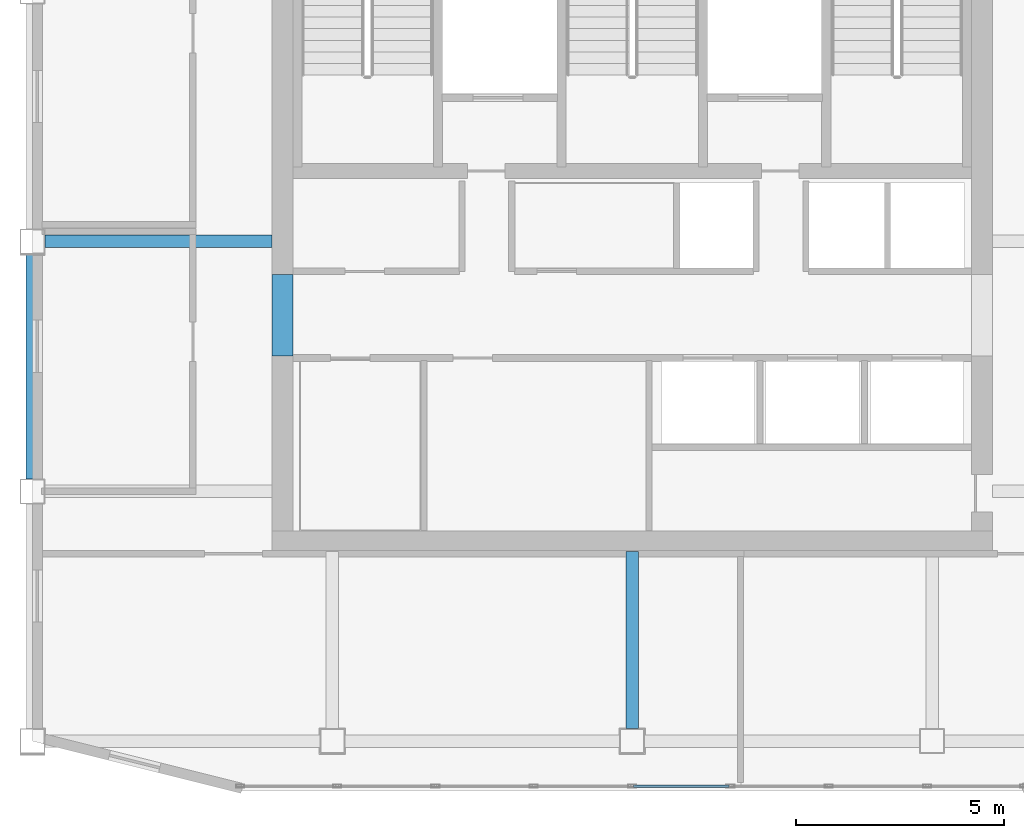
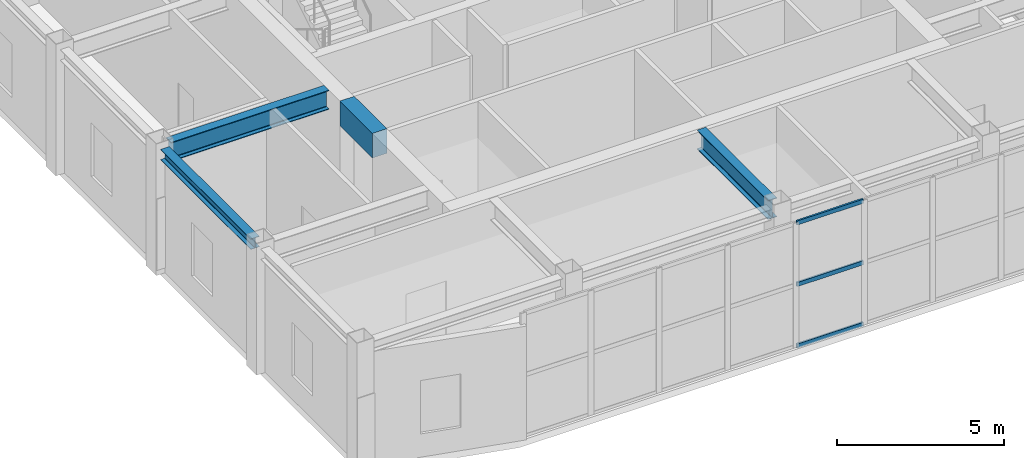
# One storey, part 3 of 11: 4 beams, 3 members, 1 element without a shape of its own.
"""IFC4 building model written with IfcOpenShell, lengths in metres."""

from ifc_helpers import new_model, si_unit, direction, frame, origin, origin_2d, place, context, subcontext, project, spatial, rectangle, hollow_rectangle, i_section, extrude, material, layer, layer_set, material_profile, profile_set, type_object, element, aggregate, save


model = new_model("IFC4")

# Units and contexts
model_context = context("Model", 3, precision=1e-05, world=origin(), true_north=direction((0.0, 1.0)))
body_context = subcontext(model_context, "Body", "Model", "MODEL_VIEW")
ifc_project = project(units=[si_unit("LENGTHUNIT", "METRE"), si_unit("AREAUNIT", "SQUARE_METRE"), si_unit("VOLUMEUNIT", "CUBIC_METRE"), si_unit("PLANEANGLEUNIT", "RADIAN"), si_unit("MASSUNIT", "GRAM", prefix="KILO")], contexts=[model_context])

# Site, building, storey
site_placement = place(None, origin())
site = spatial("IfcSite", under=ifc_project, at=site_placement, CompositionType="ELEMENT")
building_placement = place(site_placement, origin())
building = spatial("IfcBuilding", under=site, at=building_placement, Name="Haolan Belvedere Tower", CompositionType="ELEMENT")
storey_placement = place(building_placement, frame((0.0, 0.0, 313.39990234375)))
storey = spatial("IfcBuildingStorey", under=building, at=storey_placement, Name="L79", CompositionType="ELEMENT", Elevation=313.39990234375)

# Beams
ifc_material_1 = material(Name="Steel Q355B", Category="steel")
ifc_material_profile_1 = material_profile(ifc_material_1, i_section(OverallWidth=0.300048828125, OverallDepth=0.389892578125, WebThickness=0.010009765625, FlangeThickness=0.01611328125, FilletRadius=0.02197265625, at=origin_2d()), Name="Steel Q355B")
ifc_profile_set_1 = profile_set([ifc_material_profile_1], Name="Steel Q355B")
beam_type_1 = type_object("IfcBeamType", Name="BM-HM390x300x10x16", PredefinedType="SPANDREL", material=ifc_profile_set_1)
beam_1_placement = place(storey_placement, frame((24.0, 27.89990234375, 4.364990234375), z_axis=(0.0, 1.0, 0.0), x_axis=(-1.0, 0.0, 0.0)))
element("IfcBeam", 1, at=beam_1_placement, inside=storey, type_object=beam_type_1, Name="L79 spandrel girder TC-T3-W1-MC-T3-MW", PredefinedType="SPANDREL", context=body_context, shape_type="SweptSolid", body=[
    extrude(i_section(OverallWidth=0.300048828125, OverallDepth=0.389892578125, WebThickness=0.010009765625, FlangeThickness=0.01611328125, FilletRadius=0.02197265625, at=origin_2d()), origin(), (0.0, 0.0, 1.0), 5.400146484375),
])
ifc_material_profile_2 = material_profile(ifc_material_1, i_section(OverallWidth=0.300048828125, OverallDepth=0.699951171875, WebThickness=0.012939453125, FlangeThickness=0.02392578125, FilletRadius=0.02587890625, at=origin_2d()), Name="Steel Q355B")
ifc_profile_set_2 = profile_set([ifc_material_profile_2], Name="Steel Q355B")
beam_type_2 = type_object("IfcBeamType", Name="BM-HN700x300x13x24", PredefinedType="BEAM", material=ifc_profile_set_2)
beam_2_placement = place(storey_placement, frame((24.300048828125, 33.60009765625, 4.210205078125), z_axis=(1.0, 0.0, 0.0), x_axis=(0.0, 1.0, 0.0)))
element("IfcBeam", 2, at=beam_2_placement, inside=storey, type_object=beam_type_2, Name="L79 core tie beam from MC-T3-MW", PredefinedType="BEAM", context=body_context, shape_type="SweptSolid", body=[
    extrude(i_section(OverallWidth=0.300048828125, OverallDepth=0.699951171875, WebThickness=0.012939453125, FlangeThickness=0.02392578125, FilletRadius=0.02587890625, at=origin_2d()), origin(), (0.0, 0.0, 1.0), 5.449951171875),
])
beam_3_placement = place(storey_placement, frame((38.39990234375, 21.89990234375, 4.210205078125), z_axis=(0.0, 1.0, 0.0), x_axis=(-1.0, 0.0, 0.0)))
element("IfcBeam", 3, at=beam_3_placement, inside=storey, type_object=beam_type_2, Name="L79 core tie beam from TC-T3-SM", PredefinedType="BEAM", context=body_context, shape_type="SweptSolid", body=[
    extrude(i_section(OverallWidth=0.300048828125, OverallDepth=0.699951171875, WebThickness=0.012939453125, FlangeThickness=0.02392578125, FilletRadius=0.02587890625, at=origin_2d()), origin(), (0.0, 0.0, 1.0), 4.25),
])
ifc_material_2 = material(Name="Concrete C60/75", Category="concrete")
ifc_material_profile_3 = material_profile(ifc_material_2, rectangle(XDim=0.5, YDim=0.89990234375, at=origin_2d()), Name="Concrete C60/75")
ifc_profile_set_3 = profile_set([ifc_material_profile_3], Name="Concrete C60/75")
beam_type_3 = type_object("IfcBeamType", Name="BM-RC500x900", PredefinedType="LINTEL", material=ifc_profile_set_3)
beam_4_placement = place(storey_placement, frame((30.0, 30.85009765625, 4.110107421875), z_axis=(0.0, 1.0, 0.0), x_axis=(-1.0, 0.0, 0.0)))
element("IfcBeam", 4, at=beam_4_placement, inside=storey, type_object=beam_type_3, Name="L79 west core coupling beam CB-01", PredefinedType="LINTEL", context=body_context, shape_type="SweptSolid", body=[
    extrude(rectangle(XDim=0.5, YDim=0.89990234375, at=origin_2d()), origin(), (0.0, 0.0, 1.0), 1.949951171875),
])

# Curtain wall, members
ifc_material_3 = material(Name="Anodised champagne-silver aluminium 6063-T6 and Low-E glass", Category="aluminium")
ifc_layer = layer(ifc_material_3, 0.195068359375, Name="Anodised champagne-silver aluminium 6063-T6 and Low-E glass")
ifc_layer_set = layer_set([ifc_layer], Name="Anodised champagne-silver aluminium 6063-T6 and Low-E glass")
curtain_wall_type = type_object("IfcCurtainWallType", Name="CW-SYS-06", PredefinedType="NOTDEFINED", material=ifc_layer_set)
curtain_wall_placement = place(storey_placement, origin())
curtain_wall = element("IfcCurtainWall", 5, at=curtain_wall_placement, inside=storey, type_object=curtain_wall_type, Name="L79 CW-SYS-06 ribbon curtain wall 1.1", PredefinedType="NOTDEFINED")
ifc_material_4 = material(Name="Anodised aluminium 6063-T6", Category="aluminium")
ifc_material_profile_4 = material_profile(ifc_material_4, hollow_rectangle(XDim=0.06494140625, YDim=0.14990234375, WallThickness=0.00390625, at=origin_2d()), Name="Anodised aluminium 6063-T6")
ifc_profile_set_4 = profile_set([ifc_material_profile_4], Name="Anodised aluminium 6063-T6")
member_type = type_object("IfcMemberType", Name="CW-SYS-06-TRN", PredefinedType="USERDEFINED", material=ifc_profile_set_4)
member_1_placement = place(storey_placement, frame((38.43505859375, 20.52001953125, 0.03271484375), z_axis=(1.0, 0.0, 0.0), x_axis=(0.0, 1.0, 0.0)))
member_1 = element("IfcMember", 6, at=member_1_placement, type_object=member_type, Name="CW-06 transom 5.1", ObjectType="TRANSOM", PredefinedType="USERDEFINED", context=body_context, shape_type="SweptSolid", body=[
    extrude(hollow_rectangle(XDim=0.06494140625, YDim=0.14990234375, WallThickness=0.00390625, at=origin_2d()), origin(), (0.0, 0.0, 1.0), 2.291259765625),
])
member_2_placement = place(storey_placement, frame((38.43505859375, 20.52001953125, 2.280029296875), z_axis=(1.0, 0.0, 0.0), x_axis=(0.0, 1.0, 0.0)))
member_2 = element("IfcMember", 7, at=member_2_placement, type_object=member_type, Name="CW-06 transom 5.2", ObjectType="TRANSOM", PredefinedType="USERDEFINED", context=body_context, shape_type="SweptSolid", body=[
    extrude(hollow_rectangle(XDim=0.06494140625, YDim=0.14990234375, WallThickness=0.00390625, at=origin_2d()), origin(), (0.0, 0.0, 1.0), 2.291259765625),
])
member_3_placement = place(storey_placement, frame((38.43505859375, 20.52001953125, 4.527587890625), z_axis=(1.0, 0.0, 0.0), x_axis=(0.0, 1.0, 0.0)))
member_3 = element("IfcMember", 8, at=member_3_placement, type_object=member_type, Name="CW-06 transom 5.3", ObjectType="TRANSOM", PredefinedType="USERDEFINED", context=body_context, shape_type="SweptSolid", body=[
    extrude(hollow_rectangle(XDim=0.06494140625, YDim=0.14990234375, WallThickness=0.00390625, at=origin_2d()), origin(), (0.0, 0.0, 1.0), 2.291259765625),
])
aggregate(curtain_wall, [member_1, member_2, member_3])

save(model, "model.ifc")
